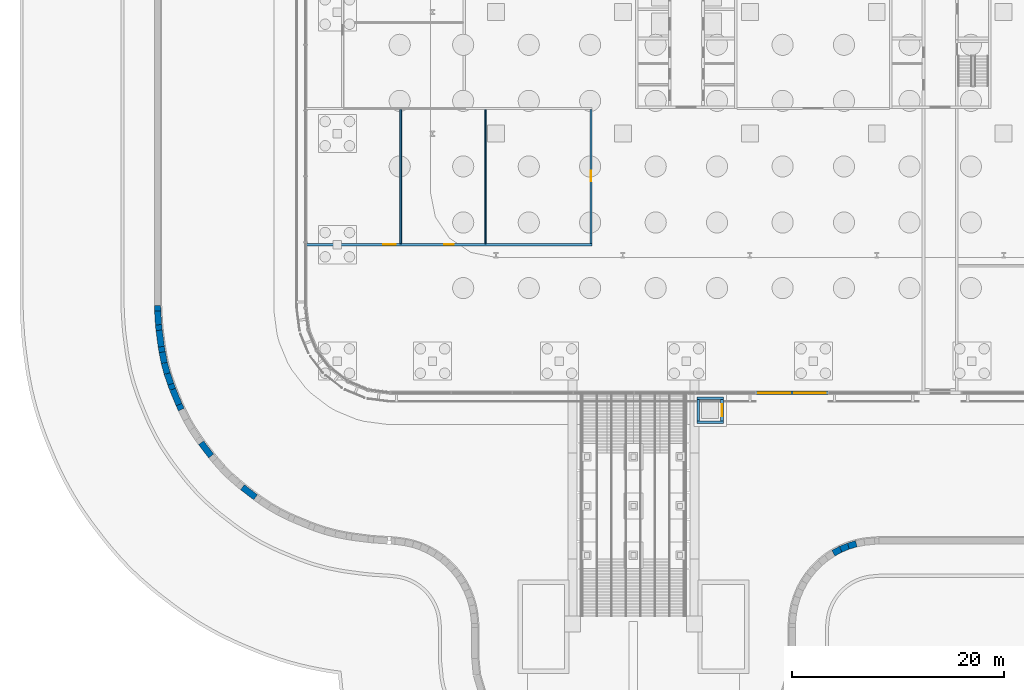
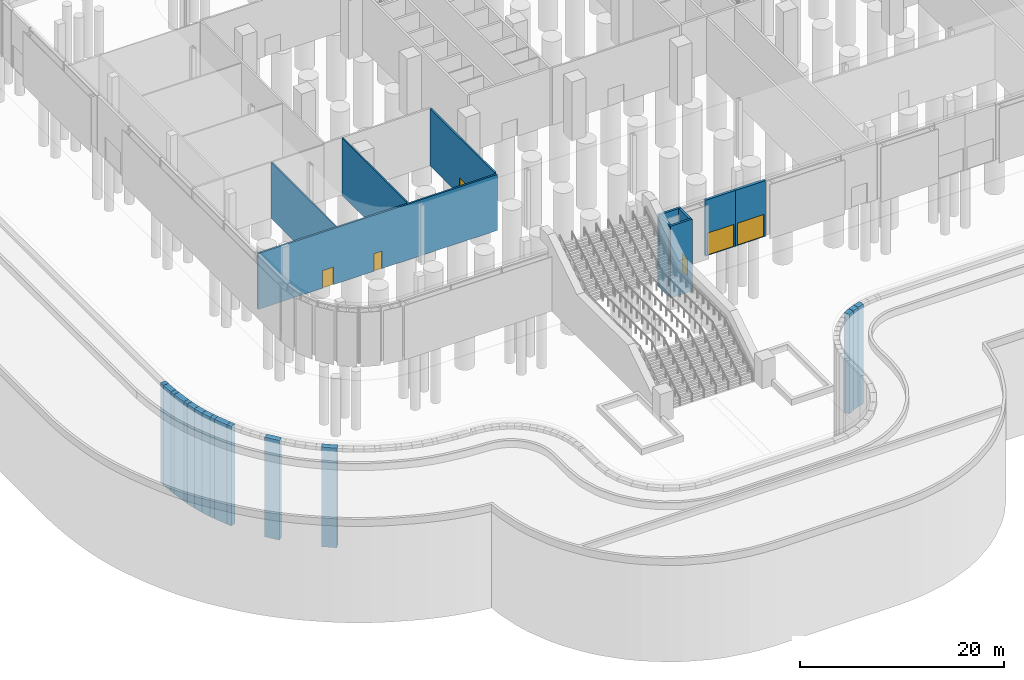
# One storey, part 21 of 48: 26 walls, 6 doors, 6 openings.
"""IFC4 building model written with IfcOpenShell, lengths in metres."""

from ifc_helpers import new_model, si_unit, direction, frame, frame_2d, origin, place, context, subcontext, project, spatial, rectangle, extrude, material, layer, layer_set, type_object, element, fill, save


model = new_model("IFC4")

# Units and contexts
model_context = context("Model", 3, precision=1e-05, world=origin(), true_north=direction((0.0, 1.0)))
body_context = subcontext(model_context, "Body", "Model", "MODEL_VIEW")
ifc_project = project(units=[si_unit("LENGTHUNIT", "METRE"), si_unit("AREAUNIT", "SQUARE_METRE"), si_unit("VOLUMEUNIT", "CUBIC_METRE"), si_unit("PLANEANGLEUNIT", "RADIAN"), si_unit("MASSUNIT", "GRAM", prefix="KILO")], contexts=[model_context])

# Site, building, storey
site_placement = place(None, origin())
site = spatial("IfcSite", under=ifc_project, at=site_placement, CompositionType="ELEMENT")
building_placement = place(site_placement, origin())
building = spatial("IfcBuilding", under=site, at=building_placement, Name="Mahtab Terrace Research Tower", CompositionType="ELEMENT")
storey_placement = place(building_placement, origin())
storey = spatial("IfcBuildingStorey", under=building, at=storey_placement, Name="G", CompositionType="ELEMENT", Elevation=0.0)

# Wall, opening, door
ifc_material_1 = material(Name="Precast concrete C40/50", Category="concrete")
ifc_layer_1 = layer(ifc_material_1, 0.300048828125)
ifc_layer_set_1 = layer_set([ifc_layer_1], Name="Ground facade infill wall 300")
wall_type_1 = type_object("IfcWallType", Name="Ground facade infill wall 300", PredefinedType="NOTDEFINED", material=ifc_layer_set_1)
wall_1_placement = place(storey_placement, frame((-14.0, -36.0, 0.0), z_axis=(0.0, 0.0, 1.0), x_axis=(-1.0, 0.0, 0.0)))
wall_1 = element("IfcWall", 1, at=wall_1_placement, inside=storey, type_object=wall_type_1, Name="Ground facade wall Main entrance 1", PredefinedType="NOTDEFINED", context=body_context, shape_type="SweptSolid", body=[
    extrude(rectangle(XDim=3.39990234375, YDim=0.300048828125, at=frame_2d((1.699951171875, 0.0))), origin(), (0.0, 0.0, 1.0), 6.699951171875),
])
opening_1_placement = place(wall_1_placement, frame((0.199951171875, 0.0, 0.0)))
opening_1 = element("IfcOpeningElement", 2, at=opening_1_placement, cuts=wall_1, Name="Opening ED2", PredefinedType="OPENING", context=body_context, shape_type="SweptSolid", body=[
    extrude(rectangle(XDim=3.0, YDim=2.699951171875, at=frame_2d((1.5, 1.35009765625))), frame((0.0, 0.159912109375, 0.0), z_axis=(0.0, -1.0, 0.0), x_axis=(1.0, 0.0, 0.0)), (0.0, 0.0, 1.0), 0.320068359375),
])
ifc_material_2 = material(Name="Black anodised aluminium", Category="aluminium")
door_type_1 = type_object("IfcDoorType", Name="Entrance double door 3000x2700", OperationType="DOUBLE_DOOR_DOUBLE_SWING", PredefinedType="DOOR", material=ifc_material_2)
door_1_placement = place(opening_1_placement, origin())
door_1 = element("IfcDoor", 3, at=door_1_placement, inside=storey, type_object=door_type_1, Name="Main entrance 1", OperationType="SINGLE_SWING_LEFT", OverallHeight=2.699951171875, OverallWidth=3.0, PredefinedType="DOOR", context=body_context, shape_type="SweptSolid", body=[
    extrude(rectangle(XDim=3.0, YDim=2.699951171875, at=frame_2d((1.5, 1.35009765625))), frame((0.0, 0.02490234375, 0.0), z_axis=(0.0, -1.0, 0.0), x_axis=(1.0, 0.0, 0.0)), (0.0, 0.0, 1.0), 0.050048828125),
])
fill(opening_1, door_1)

wall_2_placement = place(storey_placement, frame((-10.60009765625, -36.0, 0.0), z_axis=(0.0, 0.0, 1.0), x_axis=(-1.0, 0.0, 0.0)))
wall_2 = element("IfcWall", 4, at=wall_2_placement, inside=storey, type_object=wall_type_1, Name="Ground facade wall Main entrance 2", PredefinedType="NOTDEFINED", context=body_context, shape_type="SweptSolid", body=[
    extrude(rectangle(XDim=3.39990234375, YDim=0.300048828125, at=frame_2d((1.699951171875, 0.0))), origin(), (0.0, 0.0, 1.0), 6.699951171875),
])
opening_2_placement = place(wall_2_placement, frame((0.199951171875, 0.0, 0.0)))
opening_2 = element("IfcOpeningElement", 5, at=opening_2_placement, cuts=wall_2, Name="Opening ED2", PredefinedType="OPENING", context=body_context, shape_type="SweptSolid", body=[
    extrude(rectangle(XDim=3.0, YDim=2.699951171875, at=frame_2d((1.5, 1.35009765625))), frame((0.0, 0.159912109375, 0.0), z_axis=(0.0, -1.0, 0.0), x_axis=(1.0, 0.0, 0.0)), (0.0, 0.0, 1.0), 0.320068359375),
])
door_2_placement = place(opening_2_placement, origin())
door_2 = element("IfcDoor", 6, at=door_2_placement, inside=storey, type_object=door_type_1, Name="Main entrance 2", OperationType="SINGLE_SWING_LEFT", OverallHeight=2.699951171875, OverallWidth=3.0, PredefinedType="DOOR", context=body_context, shape_type="SweptSolid", body=[
    extrude(rectangle(XDim=3.0, YDim=2.699951171875, at=frame_2d((1.5, 1.35009765625))), frame((0.0, 0.02490234375, 0.0), z_axis=(0.0, -1.0, 0.0), x_axis=(1.0, 0.0, 0.0)), (0.0, 0.0, 1.0), 0.050048828125),
])
fill(opening_2, door_2)

# Walls
ifc_material_3 = material(Name="Concrete C40/50", Category="concrete")
ifc_layer_2 = layer(ifc_material_3, 0.25)
ifc_layer_set_2 = layer_set([ifc_layer_2], Name="Public lift shaft wall 250")
wall_type_2 = type_object("IfcWallType", Name="Public lift shaft wall 250", PredefinedType="SOLIDWALL", material=ifc_layer_set_2)
for number, where, z_axis, x_axis, name in (
    (7, (-20.5, -38.77490234375, -1.39990234375), (0.0, 0.0, 1.0), (-1.0, 0.0, 0.0), "Public lift shaft wall S"),
    (8, (-23.0, -36.52490234375, -1.39990234375), (0.0, 0.0, 1.0), (1.0, 0.0, 0.0), "Public lift shaft wall N"),
):
    element("IfcWall", number, at=place(storey_placement, frame(where, z_axis=z_axis, x_axis=x_axis)), inside=storey, type_object=wall_type_2, Name=name, PredefinedType="SOLIDWALL", context=body_context, shape_type="SweptSolid", body=[
        extrude(rectangle(XDim=2.5, YDim=0.25, at=frame_2d((1.25, 0.0))), origin(), (0.0, 0.0, 1.0), 8.599853515625),
    ])
wall_3_placement = place(storey_placement, frame((-22.875, -38.64990234375, -1.39990234375), z_axis=(0.0, 0.0, 1.0), x_axis=(0.0, 1.0, 0.0)))
element("IfcWall", 9, at=wall_3_placement, inside=storey, type_object=wall_type_2, Name="Public lift shaft wall W", PredefinedType="SOLIDWALL", context=body_context, shape_type="SweptSolid", body=[
    extrude(rectangle(XDim=2.0, YDim=0.25, at=frame_2d((1.0, 0.0))), origin(), (0.0, 0.0, 1.0), 8.599853515625),
])

# Wall, opening, door
wall_4_placement = place(storey_placement, frame((-20.625, -36.64990234375, -1.39990234375), z_axis=(0.0, 0.0, 1.0), x_axis=(0.0, -1.0, 0.0)))
wall_4 = element("IfcWall", 10, at=wall_4_placement, inside=storey, type_object=wall_type_2, Name="Public lift shaft wall E", PredefinedType="SOLIDWALL", context=body_context, shape_type="SweptSolid", body=[
    extrude(rectangle(XDim=2.0, YDim=0.25, at=frame_2d((1.0, 0.0))), origin(), (0.0, 0.0, 1.0), 8.599853515625),
])
opening_3_placement = place(wall_4_placement, frame((0.449951171875, 0.0, 1.39990234375)))
opening_3 = element("IfcOpeningElement", 11, at=opening_3_placement, cuts=wall_4, Name="Opening LD22-G", PredefinedType="OPENING", context=body_context, shape_type="SweptSolid", body=[
    extrude(rectangle(XDim=1.10009765625, YDim=2.10009765625, at=frame_2d((0.550048828125, 1.050048828125))), frame((0.0, 0.135009765625, 0.0), z_axis=(0.0, -1.0, 0.0), x_axis=(1.0, 0.0, 0.0)), (0.0, 0.0, 1.0), 0.27001953125),
])
ifc_material_4 = material(Name="Stainless steel AISI 304", Category="steel")
door_type_2 = type_object("IfcDoorType", Name="Landing door 1100x2100", OperationType="DOUBLE_DOOR_SLIDING", PredefinedType="DOOR", material=ifc_material_4)
door_3_placement = place(opening_3_placement, origin())
door_3 = element("IfcDoor", 12, at=door_3_placement, inside=storey, type_object=door_type_2, Name="Landing door PL1 G", OperationType="DOUBLE_DOOR_SLIDING", OverallHeight=2.10009765625, OverallWidth=1.10009765625, PredefinedType="DOOR", context=body_context, shape_type="SweptSolid", body=[
    extrude(rectangle(XDim=1.10009765625, YDim=2.10009765625, at=frame_2d((0.550048828125, 1.050048828125))), frame((0.0, 0.02490234375, 0.0), z_axis=(0.0, -1.0, 0.0), x_axis=(1.0, 0.0, 0.0)), (0.0, 0.0, 1.0), 0.050048828125),
])
fill(opening_3, door_3)

# Walls
ifc_material_5 = material(Name="Concrete C32/40", Category="concrete")
ifc_layer_3 = layer(ifc_material_5, 0.60009765625)
ifc_layer_set_3 = layer_set([ifc_layer_3], Name="Site retaining wall 600")
wall_type_3 = type_object("IfcWallType", Name="Site retaining wall 600", PredefinedType="SOLIDWALL", material=ifc_layer_set_3)
wall_5_placement = place(storey_placement, frame((-7.93701171875, -50.26806640625, -12.25), z_axis=(0.0, 0.0, 1.0), x_axis=(-0.956892976663, -0.290440753361, 0.0)))
element("IfcWall", 13, at=wall_5_placement, inside=storey, type_object=wall_type_3, Name="Site retaining wall 156", PredefinedType="SOLIDWALL", context=body_context, shape_type="SweptSolid", body=[
    extrude(rectangle(XDim=0.78173828125, YDim=0.60009765625, at=frame_2d((0.390869140625, 0.0))), origin(), (0.0, 0.0, 1.0), 11.93994140625),
])
wall_6_placement = place(storey_placement, frame((-8.68505859375, -50.4951171875, -12.25), z_axis=(0.0, 0.0, 1.0), x_axis=(-0.924153657399, -0.382020964761, 0.0)))
element("IfcWall", 14, at=wall_6_placement, inside=storey, type_object=wall_type_3, Name="Site retaining wall 157", PredefinedType="SOLIDWALL", context=body_context, shape_type="SweptSolid", body=[
    extrude(rectangle(XDim=0.7822265625, YDim=0.60009765625, at=frame_2d((0.39111328125, 0.0))), origin(), (0.0, 0.0, 1.0), 11.93994140625),
])
wall_7_placement = place(storey_placement, frame((-9.407958984375, -50.7939453125, -12.25), z_axis=(0.0, 0.0, 1.0), x_axis=(-0.881730317044, -0.471753800202, 0.0)))
element("IfcWall", 15, at=wall_7_placement, inside=storey, type_object=wall_type_3, Name="Site retaining wall 158", PredefinedType="SOLIDWALL", context=body_context, shape_type="SweptSolid", body=[
    extrude(rectangle(XDim=0.782470703125, YDim=0.60009765625, at=frame_2d((0.39111328125, 0.0))), origin(), (0.0, 0.0, 1.0), 11.93994140625),
])
for number, where, z_axis, x_axis, name in (
    (16, (-64.72802734375, -45.876953125, -12.25), (0.0, 0.0, 1.0), (-0.79368420205, 0.60832999878, 0.0), "Site retaining wall 220"),
    (17, (-68.925048828125, -41.969970703125, -12.25), (0.0, 0.0, 1.0), (-0.60832999878, 0.79368420205, 0.0), "Site retaining wall 226"),
):
    element("IfcWall", number, at=place(storey_placement, frame(where, z_axis=z_axis, x_axis=x_axis)), inside=storey, type_object=wall_type_3, Name=name, PredefinedType="SOLIDWALL", context=body_context, shape_type="SweptSolid", body=[
        extrude(rectangle(XDim=1.564697265625, YDim=0.60009765625, at=frame_2d((0.7822265625, 0.0))), origin(), (0.0, 0.0, 1.0), 11.93994140625),
    ])
wall_8_placement = place(storey_placement, frame((-71.7470703125, -37.592041015625, -12.25), z_axis=(0.0, 0.0, 1.0), x_axis=(-0.412887794594, 0.91078189984, 0.0)))
element("IfcWall", 18, at=wall_8_placement, inside=storey, type_object=wall_type_3, Name="Site retaining wall 231", PredefinedType="SOLIDWALL", context=body_context, shape_type="SweptSolid", body=[
    extrude(rectangle(XDim=0.522705078125, YDim=0.60009765625, at=frame_2d((0.26123046875, 0.0))), origin(), (0.0, 0.0, 1.0), 11.93994140625),
])
wall_9_placement = place(storey_placement, frame((-71.962890625, -37.115966796875, -12.25), z_axis=(0.0, 0.0, 1.0), x_axis=(-0.382232364192, 0.924066242086, 0.0)))
element("IfcWall", 19, at=wall_9_placement, inside=storey, type_object=wall_type_3, Name="Site retaining wall 232", PredefinedType="SOLIDWALL", context=body_context, shape_type="SweptSolid", body=[
    extrude(rectangle(XDim=1.56494140625, YDim=0.60009765625, at=frame_2d((0.782470703125, 0.0))), origin(), (0.0, 0.0, 1.0), 11.93994140625),
])
wall_10_placement = place(storey_placement, frame((-72.56103515625, -35.669921875, -12.25), z_axis=(0.0, 0.0, 1.0), x_axis=(-0.353936254393, 0.935269548219, 0.0)))
element("IfcWall", 20, at=wall_10_placement, inside=storey, type_object=wall_type_3, Name="Site retaining wall 233", PredefinedType="SOLIDWALL", context=body_context, shape_type="SweptSolid", body=[
    extrude(rectangle(XDim=0.52294921875, YDim=0.60009765625, at=frame_2d((0.261474609375, 0.0))), origin(), (0.0, 0.0, 1.0), 11.93994140625),
])
wall_11_placement = place(storey_placement, frame((-72.74609375, -35.180908203125, -12.25), z_axis=(0.0, 0.0, 1.0), x_axis=(-0.320783352767, 0.947152596252, 0.0)))
element("IfcWall", 21, at=wall_11_placement, inside=storey, type_object=wall_type_3, Name="Site retaining wall 234", PredefinedType="SOLIDWALL", context=body_context, shape_type="SweptSolid", body=[
    extrude(rectangle(XDim=1.044189453125, YDim=0.60009765625, at=frame_2d((0.52197265625, 0.0))), origin(), (0.0, 0.0, 1.0), 11.93994140625),
])
wall_12_placement = place(storey_placement, frame((-73.0810546875, -34.19189453125, -12.25), z_axis=(0.0, 0.0, 1.0), x_axis=(-0.259144501686, 0.965838561689, 0.0)))
element("IfcWall", 22, at=wall_12_placement, inside=storey, type_object=wall_type_3, Name="Site retaining wall 235", PredefinedType="SOLIDWALL", context=body_context, shape_type="SweptSolid", body=[
    extrude(rectangle(XDim=1.045654296875, YDim=0.60009765625, at=frame_2d((0.52294921875, 0.0))), origin(), (0.0, 0.0, 1.0), 11.93994140625),
])
wall_13_placement = place(storey_placement, frame((-73.35205078125, -33.181884765625, -12.25), z_axis=(0.0, 0.0, 1.0), x_axis=(-0.195082654278, 0.98078680558, 0.0)))
element("IfcWall", 23, at=wall_13_placement, inside=storey, type_object=wall_type_3, Name="Site retaining wall 236", PredefinedType="SOLIDWALL", context=body_context, shape_type="SweptSolid", body=[
    extrude(rectangle(XDim=1.044921875, YDim=0.60009765625, at=frame_2d((0.5224609375, 0.0))), origin(), (0.0, 0.0, 1.0), 11.93994140625),
])
wall_14_placement = place(storey_placement, frame((-73.555908203125, -32.156982421875, -12.25), z_axis=(0.0, 0.0, 1.0), x_axis=(-0.162960149315, 0.98663265187, 0.0)))
element("IfcWall", 24, at=wall_14_placement, inside=storey, type_object=wall_type_3, Name="Site retaining wall 237", PredefinedType="SOLIDWALL", context=body_context, shape_type="SweptSolid", body=[
    extrude(rectangle(XDim=0.52294921875, YDim=0.60009765625, at=frame_2d((0.261474609375, 0.0))), origin(), (0.0, 0.0, 1.0), 11.93994140625),
])
wall_15_placement = place(storey_placement, frame((-73.64111328125, -31.64111328125, -12.25), z_axis=(0.0, 0.0, 1.0), x_axis=(-0.130926793734, 0.991392038844, 0.0)))
element("IfcWall", 25, at=wall_15_placement, inside=storey, type_object=wall_type_3, Name="Site retaining wall 238", PredefinedType="SOLIDWALL", context=body_context, shape_type="SweptSolid", body=[
    extrude(rectangle(XDim=1.564453125, YDim=0.60009765625, at=frame_2d((0.7822265625, 0.0))), origin(), (0.0, 0.0, 1.0), 11.93994140625),
])
wall_16_placement = place(storey_placement, frame((-73.845947265625, -30.090087890625, -12.25), z_axis=(0.0, 0.0, 1.0), x_axis=(-0.097291158151, 0.995255962326, 0.0)))
element("IfcWall", 26, at=wall_16_placement, inside=storey, type_object=wall_type_3, Name="Site retaining wall 239", PredefinedType="SOLIDWALL", context=body_context, shape_type="SweptSolid", body=[
    extrude(rectangle(XDim=0.5244140625, YDim=0.60009765625, at=frame_2d((0.26220703125, 0.0))), origin(), (0.0, 0.0, 1.0), 11.93994140625),
])
wall_17_placement = place(storey_placement, frame((-73.89697265625, -29.568115234375, -12.25), z_axis=(0.0, 0.0, 1.0), x_axis=(-0.065652444475, 0.997842550974, 0.0)))
element("IfcWall", 27, at=wall_17_placement, inside=storey, type_object=wall_type_3, Name="Site retaining wall 240", PredefinedType="SOLIDWALL", context=body_context, shape_type="SweptSolid", body=[
    extrude(rectangle(XDim=1.30908203125, YDim=0.60009765625, at=frame_2d((0.654541015625, 0.0))), origin(), (0.0, 0.0, 1.0), 11.93994140625),
])
wall_18_placement = place(storey_placement, frame((-73.98291015625, -28.261962890625, -12.25), z_axis=(0.0, 0.0, 1.0), x_axis=(-0.032601486541, 0.999468430254, 0.0)))
element("IfcWall", 28, at=wall_18_placement, inside=storey, type_object=wall_type_3, Name="Site retaining wall 241", PredefinedType="SOLIDWALL", context=body_context, shape_type="SweptSolid", body=[
    extrude(rectangle(XDim=0.524169921875, YDim=0.60009765625, at=frame_2d((0.26220703125, 0.0))), origin(), (0.0, 0.0, 1.0), 11.93994140625),
])

# Wall, openings, doors
ifc_material_6 = material(Name="Gypsum board corridor wall on steel studs", Category="steel")
ifc_layer_4 = layer(ifc_material_6, 0.199951171875)
ifc_layer_set_4 = layer_set([ifc_layer_4], Name="WALL CORRIDOR 200")
wall_type_4 = type_object("IfcWallType", Name="WALL CORRIDOR 200", PredefinedType="PARTITIONING", material=ifc_layer_set_4)
wall_19_placement = place(storey_placement, frame((-59.97509765625, -22.0, 0.0), z_axis=(0.0, 0.0, 1.0), x_axis=(1.0, 0.0, 0.0)))
wall_19 = element("IfcWall", 29, at=wall_19_placement, inside=storey, type_object=wall_type_4, Name="G-W002", PredefinedType="PARTITIONING", context=body_context, shape_type="SweptSolid", body=[
    extrude(rectangle(XDim=27.0751953125, YDim=0.199951171875, at=frame_2d((13.53759765625, 0.0))), origin(), (0.0, 0.0, 1.0), 6.699951171875),
])
opening_4_placement = place(wall_19_placement, frame((7.300048828125, 0.0, 0.0)))
opening_4 = element("IfcOpeningElement", 30, at=opening_4_placement, cuts=wall_19, Name="Opening G-106", PredefinedType="OPENING", context=body_context, shape_type="SweptSolid", body=[
    extrude(rectangle(XDim=1.199951171875, YDim=2.10009765625, at=frame_2d((0.60009765625, 1.050048828125))), frame((0.0, 0.10986328125, 0.0), z_axis=(0.0, -1.0, 0.0), x_axis=(1.0, 0.0, 0.0)), (0.0, 0.0, 1.0), 0.219970703125),
])
opening_5_placement = place(wall_19_placement, frame((13.10009765625, 0.0, 0.0)))
opening_5 = element("IfcOpeningElement", 31, at=opening_5_placement, cuts=wall_19, Name="Opening G-107", PredefinedType="OPENING", context=body_context, shape_type="SweptSolid", body=[
    extrude(rectangle(XDim=0.89990234375, YDim=2.10009765625, at=frame_2d((0.449951171875, 1.050048828125))), frame((0.0, 0.10986328125, 0.0), z_axis=(0.0, -1.0, 0.0), x_axis=(1.0, 0.0, 0.0)), (0.0, 0.0, 1.0), 0.219970703125),
])
ifc_material_7 = material(Name="Timber door leaf in steel frame", Category="steel")
door_type_3 = type_object("IfcDoorType", Name="DOOR 0900X2100 FD30S", OperationType="SINGLE_SWING_LEFT", PredefinedType="DOOR", material=ifc_material_7)
door_4_placement = place(opening_5_placement, origin())
door_4 = element("IfcDoor", 32, at=door_4_placement, inside=storey, type_object=door_type_3, Name="Door G-107", OperationType="SINGLE_SWING_RIGHT", OverallHeight=2.10009765625, OverallWidth=0.89990234375, PredefinedType="DOOR", context=body_context, shape_type="SweptSolid", body=[
    extrude(rectangle(XDim=0.89990234375, YDim=2.10009765625, at=frame_2d((0.449951171875, 1.050048828125))), frame((0.0, 0.02490234375, 0.0), z_axis=(0.0, -1.0, 0.0), x_axis=(1.0, 0.0, 0.0)), (0.0, 0.0, 1.0), 0.050048828125),
])
fill(opening_5, door_4)
door_type_4 = type_object("IfcDoorType", Name="DOOR 1200X2100 FD30S", OperationType="SINGLE_SWING_LEFT", PredefinedType="DOOR", material=ifc_material_7)
door_5_placement = place(opening_4_placement, origin())
door_5 = element("IfcDoor", 33, at=door_5_placement, inside=storey, type_object=door_type_4, Name="Door G-106", OperationType="SINGLE_SWING_LEFT", OverallHeight=2.10009765625, OverallWidth=1.199951171875, PredefinedType="DOOR", context=body_context, shape_type="SweptSolid", body=[
    extrude(rectangle(XDim=1.199951171875, YDim=2.10009765625, at=frame_2d((0.60009765625, 1.050048828125))), frame((0.0, 0.02490234375, 0.0), z_axis=(0.0, -1.0, 0.0), x_axis=(1.0, 0.0, 0.0)), (0.0, 0.0, 1.0), 0.050048828125),
])
fill(opening_4, door_5)

# Wall, opening, door
wall_20_placement = place(storey_placement, frame((-33.0, -21.89990234375, 0.0), z_axis=(0.0, 0.0, 1.0), x_axis=(0.0, 1.0, 0.0)))
wall_20 = element("IfcWall", 34, at=wall_20_placement, inside=storey, type_object=wall_type_4, Name="G-W025", PredefinedType="PARTITIONING", context=body_context, shape_type="SweptSolid", body=[
    extrude(rectangle(XDim=12.6748046875, YDim=0.199951171875, at=frame_2d((6.33740234375, 0.0))), origin(), (0.0, 0.0, 1.0), 6.860107421875),
])
opening_6_placement = place(wall_20_placement, frame((5.89990234375, 0.0, 0.0)))
opening_6 = element("IfcOpeningElement", 35, at=opening_6_placement, cuts=wall_20, Name="Opening G-108", PredefinedType="OPENING", context=body_context, shape_type="SweptSolid", body=[
    extrude(rectangle(XDim=1.0, YDim=2.10009765625, at=frame_2d((0.5, 1.050048828125))), frame((0.0, 0.10986328125, 0.0), z_axis=(0.0, -1.0, 0.0), x_axis=(1.0, 0.0, 0.0)), (0.0, 0.0, 1.0), 0.219970703125),
])
door_type_5 = type_object("IfcDoorType", Name="DOOR 1000X2100 FD30S", OperationType="SINGLE_SWING_LEFT", PredefinedType="DOOR", material=ifc_material_7)
door_6_placement = place(opening_6_placement, origin())
door_6 = element("IfcDoor", 36, at=door_6_placement, inside=storey, type_object=door_type_5, Name="Door G-108", OperationType="SINGLE_SWING_RIGHT", OverallHeight=2.10009765625, OverallWidth=1.0, PredefinedType="DOOR", context=body_context, shape_type="SweptSolid", body=[
    extrude(rectangle(XDim=1.0, YDim=2.10009765625, at=frame_2d((0.5, 1.050048828125))), frame((0.0, 0.02490234375, 0.0), z_axis=(0.0, -1.0, 0.0), x_axis=(1.0, 0.0, 0.0)), (0.0, 0.0, 1.0), 0.050048828125),
])
fill(opening_6, door_6)

# Walls
ifc_material_8 = material(Name="Gypsum board partition on steel studs", Category="steel")
ifc_layer_5 = layer(ifc_material_8, 0.14990234375)
ifc_layer_set_5 = layer_set([ifc_layer_5], Name="WALL PARTITION 150")
wall_type_5 = type_object("IfcWallType", Name="WALL PARTITION 150", PredefinedType="PARTITIONING", material=ifc_layer_set_5)
wall_21_placement = place(storey_placement, frame((-51.0, -21.89990234375, 0.0), z_axis=(0.0, 0.0, 1.0), x_axis=(0.0, 1.0, 0.0)))
element("IfcWall", 37, at=wall_21_placement, inside=storey, type_object=wall_type_5, Name="G-W022", PredefinedType="PARTITIONING", context=body_context, shape_type="SweptSolid", body=[
    extrude(rectangle(XDim=12.699951171875, YDim=0.14990234375, at=frame_2d((6.35009765625, 0.0))), origin(), (0.0, 0.0, 1.0), 6.699951171875),
])
wall_22_placement = place(storey_placement, frame((-43.0, -21.89990234375, 0.0), z_axis=(0.0, 0.0, 1.0), x_axis=(0.0, 1.0, 0.0)))
element("IfcWall", 38, at=wall_22_placement, inside=storey, type_object=wall_type_5, Name="G-W024", PredefinedType="PARTITIONING", context=body_context, shape_type="SweptSolid", body=[
    extrude(rectangle(XDim=12.6748046875, YDim=0.14990234375, at=frame_2d((6.33740234375, 0.0))), origin(), (0.0, 0.0, 1.0), 6.860107421875),
])

save(model, "model.ifc")
